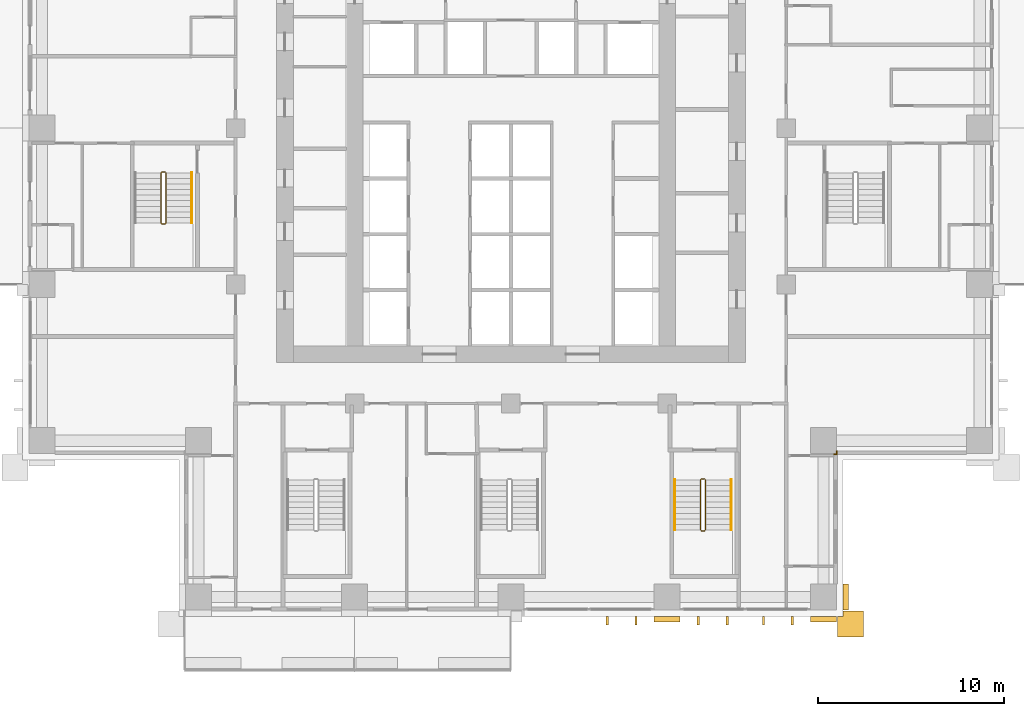
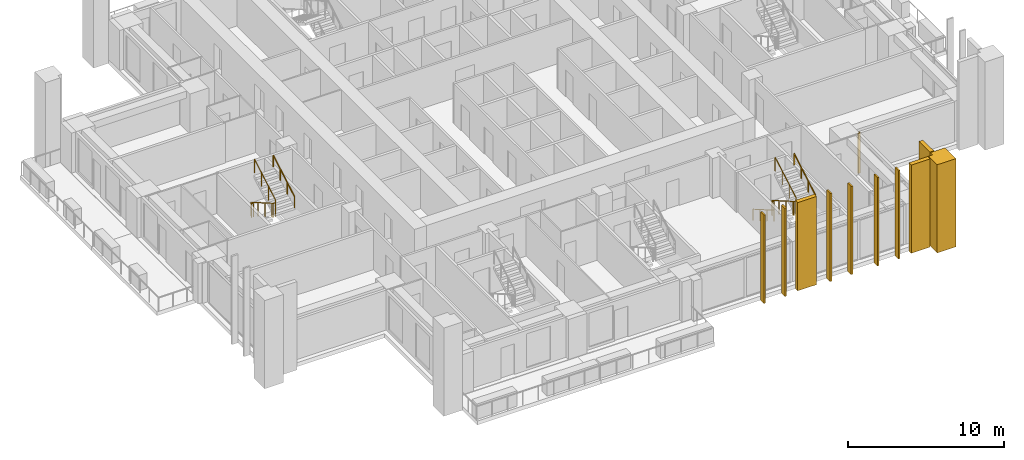
# One storey, part 15 of 18: 11 coverings, 5 railings.
"""IFC4 building model written with IfcOpenShell, lengths in metres."""

from ifc_helpers import new_model, si_unit, direction, frame, origin, origin_2d, place, context, subcontext, project, spatial, polyline, rectangle, outline, extrude, material, layer, layer_set, type_object, element, save


model = new_model("IFC4")

# Units and contexts
model_context = context("Model", 3, precision=1e-05, world=origin(), true_north=direction((0.0, 1.0)))
body_context = subcontext(model_context, "Body", "Model", "MODEL_VIEW")
ifc_project = project(units=[si_unit("LENGTHUNIT", "METRE"), si_unit("AREAUNIT", "SQUARE_METRE"), si_unit("VOLUMEUNIT", "CUBIC_METRE"), si_unit("PLANEANGLEUNIT", "RADIAN"), si_unit("MASSUNIT", "GRAM", prefix="KILO")], contexts=[model_context])

# Site, building, storey
site_placement = place(None, origin())
site = spatial("IfcSite", under=ifc_project, at=site_placement, CompositionType="ELEMENT")
building_placement = place(site_placement, origin())
building = spatial("IfcBuilding", under=site, at=building_placement, Name="Vermilion Ogive Tower", CompositionType="ELEMENT")
storey_placement = place(building_placement, frame((0.0, 0.0, 55.199951171875)))
storey = spatial("IfcBuildingStorey", under=building, at=storey_placement, Name="L12", CompositionType="ELEMENT", Elevation=55.199951171875)

# Coverings
ifc_material_1 = material(Name="Glazed ceramic screen")
ifc_layer = layer(ifc_material_1, 0.14990234375)
ifc_layer_set = layer_set([ifc_layer], Name="Ceramic solar screen fin")
covering_type_1 = type_object("IfcCoveringType", Name="Ceramic solar screen fin", PredefinedType="CLADDING", material=ifc_layer_set)
covering_1_placement = place(storey_placement, frame((0.0, 0.0, -0.320068359375)))
element("IfcCovering", 1, at=covering_1_placement, inside=storey, type_object=covering_type_1, Name="Solar screen blade S011", PredefinedType="CLADDING", context=body_context, shape_type="SweptSolid", body=[
    extrude(outline(polyline([(5.114990234375, -22.5), (5.235107421875, -22.5), (5.235107421875, -22.050048828125), (5.114990234375, -22.050048828125), (5.114990234375, -22.5)])), origin(), (0.0, 0.0, 1.0), 6.900146484375),
])
covering_2_placement = place(storey_placement, frame((0.0, 0.0, -0.320068359375)))
element("IfcCovering", 2, at=covering_2_placement, inside=storey, type_object=covering_type_1, Name="Solar screen blade S012", PredefinedType="CLADDING", context=body_context, shape_type="SweptSolid", body=[
    extrude(outline(polyline([(6.6650390625, -22.5), (6.784912109375, -22.5), (6.784912109375, -22.050048828125), (6.6650390625, -22.050048828125), (6.6650390625, -22.5)])), origin(), (0.0, 0.0, 1.0), 6.900146484375),
])
covering_3_placement = place(storey_placement, frame((0.0, 0.0, -0.320068359375)))
element("IfcCovering", 3, at=covering_3_placement, inside=storey, type_object=covering_type_1, Name="Solar screen blade S021", PredefinedType="CLADDING", context=body_context, shape_type="SweptSolid", body=[
    extrude(outline(polyline([(10.014892578125, -22.5), (10.135009765625, -22.5), (10.135009765625, -22.050048828125), (10.014892578125, -22.050048828125), (10.014892578125, -22.5)])), origin(), (0.0, 0.0, 1.0), 6.900146484375),
])
covering_4_placement = place(storey_placement, frame((0.0, 0.0, -0.320068359375)))
element("IfcCovering", 4, at=covering_4_placement, inside=storey, type_object=covering_type_1, Name="Solar screen blade S022", PredefinedType="CLADDING", context=body_context, shape_type="SweptSolid", body=[
    extrude(outline(polyline([(11.56494140625, -22.5), (11.68505859375, -22.5), (11.68505859375, -22.050048828125), (11.56494140625, -22.050048828125), (11.56494140625, -22.5)])), origin(), (0.0, 0.0, 1.0), 6.900146484375),
])
covering_5_placement = place(storey_placement, frame((0.0, 0.0, -0.320068359375)))
element("IfcCovering", 5, at=covering_5_placement, inside=storey, type_object=covering_type_1, Name="Solar screen blade S031", PredefinedType="CLADDING", context=body_context, shape_type="SweptSolid", body=[
    extrude(outline(polyline([(13.514892578125, -22.5), (13.635009765625, -22.5), (13.635009765625, -22.050048828125), (13.514892578125, -22.050048828125), (13.514892578125, -22.5)])), origin(), (0.0, 0.0, 1.0), 6.900146484375),
])
covering_6_placement = place(storey_placement, frame((0.0, 0.0, -0.320068359375)))
element("IfcCovering", 6, at=covering_6_placement, inside=storey, type_object=covering_type_1, Name="Solar screen blade S032", PredefinedType="CLADDING", context=body_context, shape_type="SweptSolid", body=[
    extrude(outline(polyline([(15.06494140625, -22.5), (15.18505859375, -22.5), (15.18505859375, -22.050048828125), (15.06494140625, -22.050048828125), (15.06494140625, -22.5)])), origin(), (0.0, 0.0, 1.0), 6.900146484375),
])

# Railings
ifc_material_2 = material(Name="Steel S355 painted", Category="steel")
railing_type_1 = type_object("IfcRailingType", Name="Stair guard 1100", PredefinedType="GUARDRAIL", material=ifc_material_2)
railing_1_placement = place(storey_placement, frame((10.39990234375, -14.64990234375, 0.0)))
element("IfcRailing", 7, at=railing_1_placement, inside=storey, type_object=railing_type_1, Name="L12 ST5 stair guard 4", PredefinedType="GUARDRAIL", context=body_context, shape_type="SweptSolid", body=[
    extrude(rectangle(XDim=0.048095703125, YDim=0.048095703125, at=origin_2d()), frame((0.0, 0.0, 1.076171875), z_axis=(-1.0, 0.0, 0.0), x_axis=(0.0, -1.0, 0.0)), (0.0, 0.0, 1.0), 0.14990234375),
    extrude(rectangle(XDim=0.048095703125, YDim=0.048095703125, at=origin_2d()), frame((-0.14990234375, 0.0, 1.076171875), z_axis=(-0.268277960024, -0.268277960024, 0.925231793839), x_axis=(0.707106781187, -0.707106781187, 0.0)), (0.0, 0.0, 1.0), 0.1865234375),
    extrude(rectangle(XDim=0.048095703125, YDim=0.048095703125, at=origin_2d()), frame((-0.199951171875, -0.050048828125, 1.24853515625), z_axis=(0.0, -0.866903762492, 0.498475542607), x_axis=(1.0, 0.0, 0.0)), (0.0, 0.0, 1.0), 3.114501953125),
    extrude(rectangle(XDim=0.048095703125, YDim=0.048095703125, at=origin_2d()), frame((-0.199951171875, -2.75, 2.80126953125), z_axis=(0.707106781187, -0.707106781187, 0.0), x_axis=(0.707106781187, 0.707106781187, 0.0)), (0.0, 0.0, 1.0), 0.07080078125),
    extrude(rectangle(XDim=0.048095703125, YDim=0.048095703125, at=origin_2d()), frame((-0.14990234375, -2.800048828125, 2.80126953125), z_axis=(1.0, 0.0, 0.0), x_axis=(0.0, 1.0, 0.0)), (0.0, 0.0, 1.0), 0.14990234375),
    extrude(rectangle(XDim=0.048095703125, YDim=0.048095703125, at=origin_2d()), frame((0.0, -2.800048828125, 2.80126953125), z_axis=(0.268603158521, 0.268603158521, 0.925043072762), x_axis=(-0.707106781187, 0.707106781187, 0.0)), (0.0, 0.0, 1.0), 0.186279296875),
    extrude(rectangle(XDim=0.048095703125, YDim=0.048095703125, at=origin_2d()), frame((0.050048828125, -2.75, 2.9736328125), z_axis=(0.0, 0.866903762492, 0.498475542607), x_axis=(-1.0, 0.0, 0.0)), (0.0, 0.0, 1.0), 3.114501953125),
    extrude(rectangle(XDim=0.0419921875, YDim=0.0419921875, at=origin_2d()), origin(), (0.0, 0.0, 1.0), 1.052001953125),
    extrude(rectangle(XDim=0.0419921875, YDim=0.0419921875, at=origin_2d()), frame((-0.14990234375, 0.0, 0.0)), (0.0, 0.0, 1.0), 1.052001953125),
    extrude(rectangle(XDim=0.0419921875, YDim=0.0419921875, at=origin_2d()), frame((-0.199951171875, -0.050048828125, 0.172607421875)), (0.0, 0.0, 1.0), 1.052001953125),
    extrude(rectangle(XDim=0.0419921875, YDim=0.0419921875, at=origin_2d()), frame((-0.199951171875, -0.949951171875, 0.690185546875)), (0.0, 0.0, 1.0), 1.052001953125),
    extrude(rectangle(XDim=0.0419921875, YDim=0.0419921875, at=origin_2d()), frame((-0.199951171875, -1.85009765625, 1.20751953125)), (0.0, 0.0, 1.0), 1.052001953125),
    extrude(rectangle(XDim=0.0419921875, YDim=0.0419921875, at=origin_2d()), frame((-0.199951171875, -2.75, 1.72509765625)), (0.0, 0.0, 1.0), 1.052001953125),
    extrude(rectangle(XDim=0.0419921875, YDim=0.0419921875, at=origin_2d()), frame((-0.14990234375, -2.800048828125, 1.72509765625)), (0.0, 0.0, 1.0), 1.052001953125),
    extrude(rectangle(XDim=0.0419921875, YDim=0.0419921875, at=origin_2d()), frame((0.0, -2.800048828125, 1.72509765625)), (0.0, 0.0, 1.0), 1.052001953125),
    extrude(rectangle(XDim=0.0419921875, YDim=0.0419921875, at=origin_2d()), frame((0.050048828125, -2.75, 1.8974609375)), (0.0, 0.0, 1.0), 1.052001953125),
    extrude(rectangle(XDim=0.0419921875, YDim=0.0419921875, at=origin_2d()), frame((0.050048828125, -1.85009765625, 2.4150390625)), (0.0, 0.0, 1.0), 1.052001953125),
    extrude(rectangle(XDim=0.0419921875, YDim=0.0419921875, at=origin_2d()), frame((0.050048828125, -0.949951171875, 2.932373046875)), (0.0, 0.0, 1.0), 1.052001953125),
    extrude(rectangle(XDim=0.0419921875, YDim=0.0419921875, at=origin_2d()), frame((0.050048828125, -0.050048828125, 3.449951171875)), (0.0, 0.0, 1.0), 1.052001953125),
])
railing_2_placement = place(storey_placement, frame((-18.60009765625, 1.85009765625, 0.0)))
element("IfcRailing", 8, at=railing_2_placement, inside=storey, type_object=railing_type_1, Name="L12 ST9 stair guard 4", PredefinedType="GUARDRAIL", context=body_context, shape_type="SweptSolid", body=[
    extrude(rectangle(XDim=0.048095703125, YDim=0.048095703125, at=origin_2d()), frame((0.0, 0.0, 1.076171875), z_axis=(-1.0, 0.0, 0.0), x_axis=(0.0, -1.0, 0.0)), (0.0, 0.0, 1.0), 0.14990234375),
    extrude(rectangle(XDim=0.048095703125, YDim=0.048095703125, at=origin_2d()), frame((-0.14990234375, 0.0, 1.076171875), z_axis=(-0.268277960024, -0.268277960024, 0.925231793839), x_axis=(0.707106781187, -0.707106781187, 0.0)), (0.0, 0.0, 1.0), 0.1865234375),
    extrude(rectangle(XDim=0.048095703125, YDim=0.048095703125, at=origin_2d()), frame((-0.199951171875, -0.050048828125, 1.24853515625), z_axis=(0.0, -0.866903762492, 0.498475542607), x_axis=(1.0, 0.0, 0.0)), (0.0, 0.0, 1.0), 3.114501953125),
    extrude(rectangle(XDim=0.048095703125, YDim=0.048095703125, at=origin_2d()), frame((-0.199951171875, -2.75, 2.80126953125), z_axis=(0.707106781187, -0.707106781187, 0.0), x_axis=(0.707106781187, 0.707106781187, 0.0)), (0.0, 0.0, 1.0), 0.07080078125),
    extrude(rectangle(XDim=0.048095703125, YDim=0.048095703125, at=origin_2d()), frame((-0.14990234375, -2.800048828125, 2.80126953125), z_axis=(1.0, 0.0, 0.0), x_axis=(0.0, 1.0, 0.0)), (0.0, 0.0, 1.0), 0.14990234375),
    extrude(rectangle(XDim=0.048095703125, YDim=0.048095703125, at=origin_2d()), frame((0.0, -2.800048828125, 2.80126953125), z_axis=(0.268603158521, 0.268603158521, 0.925043072762), x_axis=(-0.707106781187, 0.707106781187, 0.0)), (0.0, 0.0, 1.0), 0.186279296875),
    extrude(rectangle(XDim=0.048095703125, YDim=0.048095703125, at=origin_2d()), frame((0.050048828125, -2.75, 2.9736328125), z_axis=(0.0, 0.866903762492, 0.498475542607), x_axis=(-1.0, 0.0, 0.0)), (0.0, 0.0, 1.0), 3.114501953125),
    extrude(rectangle(XDim=0.0419921875, YDim=0.0419921875, at=origin_2d()), origin(), (0.0, 0.0, 1.0), 1.052001953125),
    extrude(rectangle(XDim=0.0419921875, YDim=0.0419921875, at=origin_2d()), frame((-0.14990234375, 0.0, 0.0)), (0.0, 0.0, 1.0), 1.052001953125),
    extrude(rectangle(XDim=0.0419921875, YDim=0.0419921875, at=origin_2d()), frame((-0.199951171875, -0.050048828125, 0.172607421875)), (0.0, 0.0, 1.0), 1.052001953125),
    extrude(rectangle(XDim=0.0419921875, YDim=0.0419921875, at=origin_2d()), frame((-0.199951171875, -0.949951171875, 0.690185546875)), (0.0, 0.0, 1.0), 1.052001953125),
    extrude(rectangle(XDim=0.0419921875, YDim=0.0419921875, at=origin_2d()), frame((-0.199951171875, -1.85009765625, 1.20751953125)), (0.0, 0.0, 1.0), 1.052001953125),
    extrude(rectangle(XDim=0.0419921875, YDim=0.0419921875, at=origin_2d()), frame((-0.199951171875, -2.75, 1.72509765625)), (0.0, 0.0, 1.0), 1.052001953125),
    extrude(rectangle(XDim=0.0419921875, YDim=0.0419921875, at=origin_2d()), frame((-0.14990234375, -2.800048828125, 1.72509765625)), (0.0, 0.0, 1.0), 1.052001953125),
    extrude(rectangle(XDim=0.0419921875, YDim=0.0419921875, at=origin_2d()), frame((0.0, -2.800048828125, 1.72509765625)), (0.0, 0.0, 1.0), 1.052001953125),
    extrude(rectangle(XDim=0.0419921875, YDim=0.0419921875, at=origin_2d()), frame((0.050048828125, -2.75, 1.8974609375)), (0.0, 0.0, 1.0), 1.052001953125),
    extrude(rectangle(XDim=0.0419921875, YDim=0.0419921875, at=origin_2d()), frame((0.050048828125, -1.85009765625, 2.4150390625)), (0.0, 0.0, 1.0), 1.052001953125),
    extrude(rectangle(XDim=0.0419921875, YDim=0.0419921875, at=origin_2d()), frame((0.050048828125, -0.949951171875, 2.932373046875)), (0.0, 0.0, 1.0), 1.052001953125),
    extrude(rectangle(XDim=0.0419921875, YDim=0.0419921875, at=origin_2d()), frame((0.050048828125, -0.050048828125, 3.449951171875)), (0.0, 0.0, 1.0), 1.052001953125),
])
ifc_material_3 = material(Name="Stainless steel", Category="steel")
railing_type_2 = type_object("IfcRailingType", Name="Stair handrail 900", PredefinedType="HANDRAIL", material=ifc_material_3)
railing_3_placement = place(storey_placement, frame((8.800048828125, -14.699951171875, 0.172607421875)))
element("IfcRailing", 9, at=railing_3_placement, inside=storey, type_object=railing_type_2, Name="L12 ST5 stair handrail 1", PredefinedType="HANDRAIL", context=body_context, shape_type="SweptSolid", body=[
    extrude(rectangle(XDim=0.048095703125, YDim=0.048095703125, at=origin_2d()), frame((0.0, 0.0, 0.8759765625), z_axis=(0.0, -0.866903762492, 0.498475542607), x_axis=(1.0, 0.0, 0.0)), (0.0, 0.0, 1.0), 3.114501953125),
    extrude(rectangle(XDim=0.0419921875, YDim=0.0419921875, at=origin_2d()), origin(), (0.0, 0.0, 1.0), 0.851806640625),
    extrude(rectangle(XDim=0.0419921875, YDim=0.0419921875, at=origin_2d()), frame((0.0, -0.89990234375, 0.517578125)), (0.0, 0.0, 1.0), 0.851806640625),
    extrude(rectangle(XDim=0.0419921875, YDim=0.0419921875, at=origin_2d()), frame((0.0, -1.800048828125, 1.034912109375)), (0.0, 0.0, 1.0), 0.851806640625),
    extrude(rectangle(XDim=0.0419921875, YDim=0.0419921875, at=origin_2d()), frame((0.0, -2.699951171875, 1.552490234375)), (0.0, 0.0, 1.0), 0.851806640625),
])
for number, where, name in (
    (10, (11.85009765625, -17.39990234375, 1.8974609375), "L12 ST5 stair handrail 2"),
    (11, (-17.14990234375, -0.89990234375, 1.8974609375), "L12 ST9 stair handrail 2"),
):
    element("IfcRailing", number, at=place(storey_placement, frame(where)), inside=storey, type_object=railing_type_2, Name=name, PredefinedType="HANDRAIL", context=body_context, shape_type="SweptSolid", body=[
        extrude(rectangle(XDim=0.048095703125, YDim=0.048095703125, at=origin_2d()), frame((0.0, 0.0, 0.8759765625), z_axis=(0.0, 0.866903762492, 0.498475542607), x_axis=(-1.0, 0.0, 0.0)), (0.0, 0.0, 1.0), 3.114501953125),
        extrude(rectangle(XDim=0.0419921875, YDim=0.0419921875, at=origin_2d()), origin(), (0.0, 0.0, 1.0), 0.851806640625),
        extrude(rectangle(XDim=0.0419921875, YDim=0.0419921875, at=origin_2d()), frame((0.0, 0.89990234375, 0.517578125)), (0.0, 0.0, 1.0), 0.851806640625),
        extrude(rectangle(XDim=0.0419921875, YDim=0.0419921875, at=origin_2d()), frame((0.0, 1.800048828125, 1.034912109375)), (0.0, 0.0, 1.0), 0.851806640625),
        extrude(rectangle(XDim=0.0419921875, YDim=0.0419921875, at=origin_2d()), frame((0.0, 2.699951171875, 1.552490234375)), (0.0, 0.0, 1.0), 0.851806640625),
    ])

# Coverings
ifc_material_4 = material(Name="Stone cladding", Category="masonry")
covering_type_2 = type_object("IfcCoveringType", Name="Stone corner buttress", PredefinedType="CLADDING", material=ifc_material_4)
covering_7_placement = place(storey_placement, frame((0.0, 0.0, -0.320068359375)))
element("IfcCovering", 12, at=covering_7_placement, inside=storey, type_object=covering_type_2, Name="Stone corner buttress X11", PredefinedType="CLADDING", context=body_context, shape_type="SweptSolid", body=[
    extrude(outline(polyline([(17.550048828125, -22.050048828125), (17.85009765625, -22.050048828125), (17.85009765625, -21.75), (18.949951171875, -21.75), (18.949951171875, -23.14990234375), (17.550048828125, -23.14990234375), (17.550048828125, -22.050048828125)])), origin(), (0.0, 0.0, 1.0), 6.900146484375),
])
ifc_material_5 = material(Name="Stone cladding", Category="masonry")
covering_type_3 = type_object("IfcCoveringType", Name="Stone pier", PredefinedType="CLADDING", material=ifc_material_5)
covering_8_placement = place(storey_placement, origin())
element("IfcCovering", 13, at=covering_8_placement, inside=storey, type_object=covering_type_3, Name="Stone corner pier X1E1", PredefinedType="CLADDING", context=body_context, shape_type="SweptSolid", body=[
    extrude(outline(polyline([(17.35009765625, -13.300048828125), (17.5, -13.300048828125), (17.5, -13.14990234375), (17.550048828125, -13.14990234375), (17.550048828125, -13.35009765625), (17.35009765625, -13.35009765625), (17.35009765625, -13.300048828125)])), origin(), (0.0, 0.0, 1.0), 3.130126953125),
])
covering_9_placement = place(storey_placement, frame((0.0, 0.0, -0.320068359375)))
element("IfcCovering", 14, at=covering_9_placement, inside=storey, type_object=covering_type_3, Name="Stone pier P+0084-210", PredefinedType="CLADDING", context=body_context, shape_type="SweptSolid", body=[
    extrude(outline(polyline([(9.10009765625, -22.35009765625), (7.699951171875, -22.35009765625), (7.699951171875, -22.050048828125), (9.10009765625, -22.050048828125), (9.10009765625, -22.35009765625)])), origin(), (0.0, 0.0, 1.0), 6.900146484375),
])
covering_10_placement = place(storey_placement, frame((0.0, 0.0, -0.320068359375)))
element("IfcCovering", 15, at=covering_10_placement, inside=storey, type_object=covering_type_3, Name="Stone pier P+0168-210S", PredefinedType="CLADDING", context=body_context, shape_type="SweptSolid", body=[
    extrude(outline(polyline([(17.5, -22.35009765625), (16.10009765625, -22.35009765625), (16.10009765625, -22.050048828125), (17.5, -22.050048828125), (17.5, -22.35009765625)])), origin(), (0.0, 0.0, 1.0), 6.900146484375),
])
covering_11_placement = place(storey_placement, frame((0.0, 0.0, -0.320068359375)))
element("IfcCovering", 16, at=covering_11_placement, inside=storey, type_object=covering_type_3, Name="Stone pier P+0168-210X1", PredefinedType="CLADDING", context=body_context, shape_type="SweptSolid", body=[
    extrude(outline(polyline([(18.14990234375, -21.699951171875), (17.85009765625, -21.699951171875), (17.85009765625, -20.300048828125), (18.14990234375, -20.300048828125), (18.14990234375, -21.699951171875)])), origin(), (0.0, 0.0, 1.0), 6.900146484375),
])

save(model, "model.ifc")
